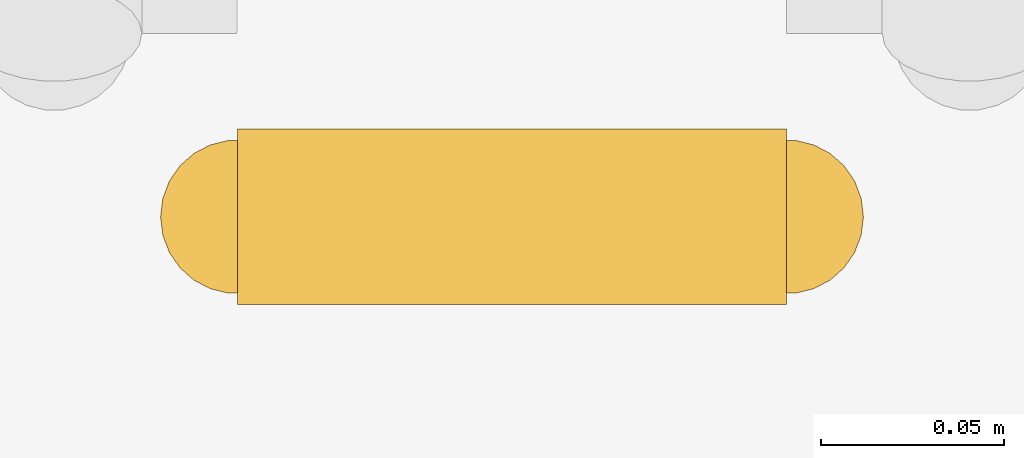
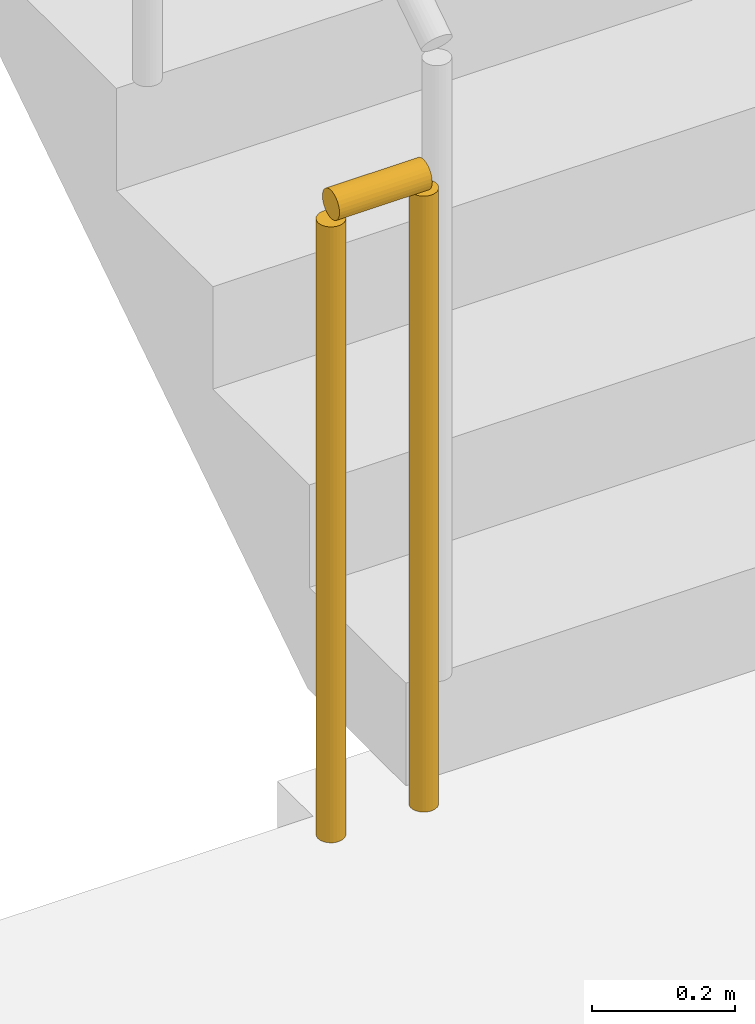
# One storey, part 14 of 19: 1 railing.
"""IFC4 building model written with IfcOpenShell, lengths in metres."""

from ifc_helpers import new_model, si_unit, direction, frame, origin, origin_2d, place, context, subcontext, project, spatial, circle, extrude, material, type_object, element, save


model = new_model("IFC4")

# Units and contexts
model_context = context("Model", 3, precision=1e-05, world=origin(), true_north=direction((0.0, 1.0)))
body_context = subcontext(model_context, "Body", "Model", "MODEL_VIEW")
ifc_project = project(units=[si_unit("LENGTHUNIT", "METRE"), si_unit("AREAUNIT", "SQUARE_METRE"), si_unit("VOLUMEUNIT", "CUBIC_METRE"), si_unit("PLANEANGLEUNIT", "RADIAN"), si_unit("MASSUNIT", "GRAM", prefix="KILO")], contexts=[model_context])

# Site, building, storey
site_placement = place(None, origin())
site = spatial("IfcSite", under=ifc_project, at=site_placement, CompositionType="ELEMENT")
building_placement = place(site_placement, origin())
building = spatial("IfcBuilding", under=site, at=building_placement, Name="Saffron Iwan Residences", CompositionType="ELEMENT")
storey_placement = place(building_placement, frame((0.0, 0.0, 250.0)))
storey = spatial("IfcBuildingStorey", under=building, at=storey_placement, Name="L67", CompositionType="ELEMENT", Elevation=250.0)

# Railing
ifc_material = material(Name="Steel S355", Category="steel")
railing_type = type_object("IfcRailingType", Name="Stair guard 1100", PredefinedType="GUARDRAIL", material=ifc_material)
railing_placement = place(storey_placement, frame((31.25, 67.800048828125, 0.0)))
element("IfcRailing", 1, at=railing_placement, inside=storey, type_object=railing_type, Name="L67 ST-W stair guard 2", PredefinedType="GUARDRAIL", context=body_context, shape_type="SweptSolid", body=[
    extrude(circle(Radius=0.02392578125, at=origin_2d()), frame((0.0, 0.0, 1.076171875), z_axis=(-1.0, 0.0, 0.0), x_axis=(0.0, -1.0, 0.0)), (0.0, 0.0, 1.0), 0.14990234375),
    extrude(circle(Radius=0.02099609375, at=origin_2d()), origin(), (0.0, 0.0, 1.0), 1.052001953125),
    extrude(circle(Radius=0.02099609375, at=origin_2d()), frame((-0.14990234375, 0.0, 0.0)), (0.0, 0.0, 1.0), 1.052001953125),
])

save(model, "model.ifc")
